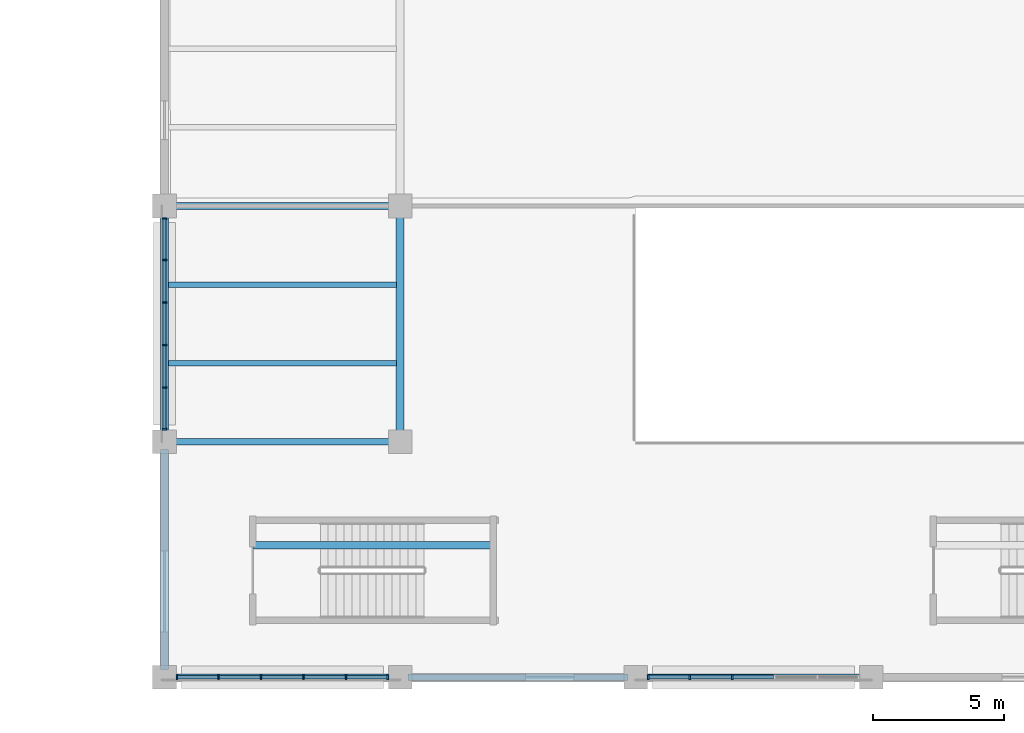
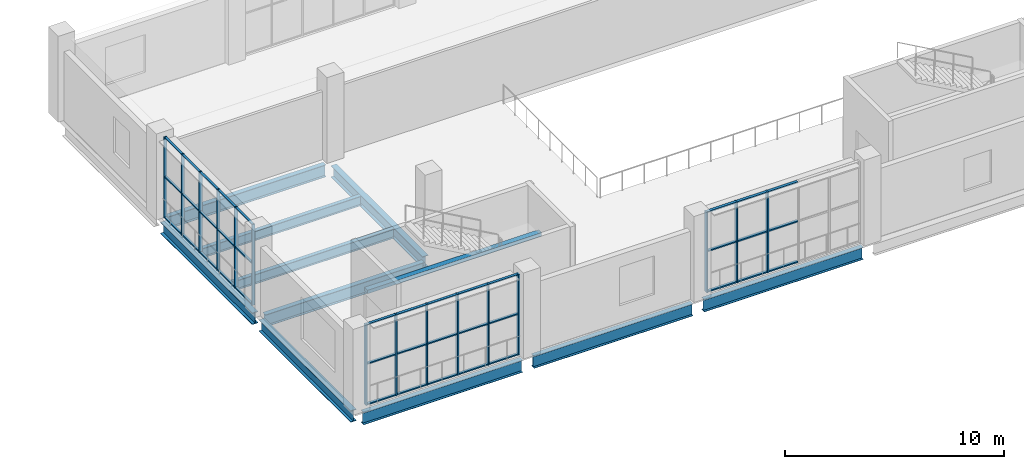
# One storey, part 3 of 183: 54 members, 11 beams, 3 elements without a shape of their own.
"""IFC4 building model written with IfcOpenShell, lengths in metres."""

from ifc_helpers import new_model, si_unit, direction, frame, origin, origin_2d, place, context, subcontext, project, spatial, rectangle, i_section, extrude, material, material_profile, profile_set, type_object, element, aggregate, save


model = new_model("IFC4")

# Units and contexts
model_context = context("Model", 3, precision=1e-05, world=origin(), true_north=direction((0.0, 1.0)))
body_context = subcontext(model_context, "Body", "Model", "MODEL_VIEW")
ifc_project = project(units=[si_unit("LENGTHUNIT", "METRE"), si_unit("AREAUNIT", "SQUARE_METRE"), si_unit("VOLUMEUNIT", "CUBIC_METRE"), si_unit("PLANEANGLEUNIT", "RADIAN"), si_unit("MASSUNIT", "GRAM", prefix="KILO")], contexts=[model_context])

# Site, building, storey
site_placement = place(None, origin())
site = spatial("IfcSite", under=ifc_project, at=site_placement, CompositionType="ELEMENT")
building_placement = place(site_placement, origin())
building = spatial("IfcBuilding", under=site, at=building_placement, Name="Zevraka Park Crest Stadium", CompositionType="ELEMENT")
storey_placement = place(building_placement, frame((0.0, 0.0, 5.39990234375)))
storey = spatial("IfcBuildingStorey", under=building, at=storey_placement, Name="L01", CompositionType="ELEMENT", Elevation=5.39990234375)

# Beams
ifc_material_1 = material(Name="Steel S355", Category="steel")
ifc_material_profile_1 = material_profile(ifc_material_1, i_section(OverallWidth=0.253662109375, OverallDepth=0.68359375, WebThickness=0.012451171875, FlangeThickness=0.01904296875, at=origin_2d()), Name="UKB 686x254x140")
ifc_profile_set_1 = profile_set([ifc_material_profile_1], Name="Steel S355")
beam_type_1 = type_object("IfcBeamType", Name="BG05", PredefinedType="BEAM", material=ifc_profile_set_1)
for number, where, z_axis, x_axis, name in (
    (1, (9.300048828125, 0.0, -0.649658203125), (1.0, 0.0, 0.0), (0.0, 1.0, 0.0), "Wing Girder BG05 L01-23/A"),
    (2, (9.300048828125, 9.0, -0.649658203125), (1.0, 0.0, 0.0), (0.0, 1.0, 0.0), "Wing Girder BG05 L01-23/B"),
    (3, (9.300048828125, 18.0, -0.649658203125), (1.0, 0.0, 0.0), (0.0, 1.0, 0.0), "Wing Girder BG05 L01-23/C"),
    (4, (18.300048828125, 0.0, -0.649658203125), (1.0, 0.0, 0.0), (0.0, 1.0, 0.0), "Wing Girder BG05 L01-34/A"),
    (5, (27.300048828125, 0.0, -0.649658203125), (1.0, 0.0, 0.0), (0.0, 1.0, 0.0), "Wing Girder BG05 L01-45/A"),
):
    element("IfcBeam", number, at=place(storey_placement, frame(where, z_axis=z_axis, x_axis=x_axis)), inside=storey, type_object=beam_type_1, Name=name, PredefinedType="BEAM", context=body_context, shape_type="SweptSolid", body=[
        extrude(i_section(OverallWidth=0.253662109375, OverallDepth=0.68359375, WebThickness=0.012451171875, FlangeThickness=0.01904296875, at=origin_2d()), origin(), (0.0, 0.0, 1.0), 8.39990234375),
    ])
ifc_material_2 = material(Name="Steel S355", Category="steel")
ifc_material_profile_2 = material_profile(ifc_material_2, i_section(OverallWidth=0.300048828125, OverallDepth=0.64990234375, WebThickness=0.01611328125, FlangeThickness=0.031005859375, at=origin_2d()), Name="HEB 650")
ifc_profile_set_2 = profile_set([ifc_material_profile_2], Name="Steel S355")
beam_type_2 = type_object("IfcBeamType", Name="BG07", PredefinedType="BEAM", material=ifc_profile_set_2)
for number, where, z_axis, x_axis, name in (
    (6, (9.0, 0.300048828125, -0.6328125), (0.0, 1.0, 0.0), (-1.0, 0.0, 0.0), "Wing Girder BG07 L01-2/AB"),
    (7, (9.0, 9.300048828125, -0.6328125), (0.0, 1.0, 0.0), (-1.0, 0.0, 0.0), "Wing Girder BG07 L01-2/BC"),
    (8, (18.0, 9.300048828125, -0.6328125), (0.0, 1.0, 0.0), (-1.0, 0.0, 0.0), "Wing Girder BG07 L01-3/BC"),
):
    element("IfcBeam", number, at=place(storey_placement, frame(where, z_axis=z_axis, x_axis=x_axis)), inside=storey, type_object=beam_type_2, Name=name, PredefinedType="BEAM", context=body_context, shape_type="SweptSolid", body=[
        extrude(i_section(OverallWidth=0.300048828125, OverallDepth=0.64990234375, WebThickness=0.01611328125, FlangeThickness=0.031005859375, at=origin_2d()), origin(), (0.0, 0.0, 1.0), 8.39990234375),
    ])

# Curtain wall, members
ifc_material_3 = material(Name="Anodised architectural aluminium and laminated safety glass", Category="aluminium")
curtain_wall_type_1 = type_object("IfcCurtainWallType", Name="CW28", PredefinedType="NOTDEFINED", material=ifc_material_3)
curtain_wall_1_placement = place(storey_placement, origin())
curtain_wall_1 = element("IfcCurtainWall", 9, at=curtain_wall_1_placement, inside=storey, type_object=curtain_wall_type_1, Name="Wing Curtain Wall CW28 L01-SW-W-2", PredefinedType="NOTDEFINED")
ifc_material_4 = material(Name="Anodised architectural aluminium", Category="aluminium")
ifc_material_profile_3 = material_profile(ifc_material_4, rectangle(XDim=0.159912109375, YDim=0.06005859375, at=origin_2d()), Name="ALU MULLION 160x60")
ifc_profile_set_3 = profile_set([ifc_material_profile_3], Name="Anodised architectural aluminium")
member_type_1 = type_object("IfcMemberType", Name="CM01", PredefinedType="MULLION", material=ifc_profile_set_3)
member_1_placement = place(storey_placement, frame((9.0, 9.469970703125, 0.0), z_axis=(0.0, 0.0, 1.0), x_axis=(-1.0, 0.0, 0.0)))
member_1 = element("IfcMember", 10, at=member_1_placement, type_object=member_type_1, Name="CW28 mullion 1", PredefinedType="MULLION", context=body_context, shape_type="SweptSolid", body=[
    extrude(rectangle(XDim=0.159912109375, YDim=0.06005859375, at=origin_2d()), origin(), (0.0, 0.0, 1.0), 4.52001953125),
])
member_2_placement = place(storey_placement, frame((9.0, 11.06396484375, 0.0), z_axis=(0.0, 0.0, 1.0), x_axis=(-1.0, 0.0, 0.0)))
member_2 = element("IfcMember", 11, at=member_2_placement, type_object=member_type_1, Name="CW28 mullion 2", PredefinedType="MULLION", context=body_context, shape_type="SweptSolid", body=[
    extrude(rectangle(XDim=0.159912109375, YDim=0.06005859375, at=origin_2d()), origin(), (0.0, 0.0, 1.0), 4.52001953125),
])
member_3_placement = place(storey_placement, frame((9.0, 12.68798828125, 0.0), z_axis=(0.0, 0.0, 1.0), x_axis=(-1.0, 0.0, 0.0)))
member_3 = element("IfcMember", 12, at=member_3_placement, type_object=member_type_1, Name="CW28 mullion 3", PredefinedType="MULLION", context=body_context, shape_type="SweptSolid", body=[
    extrude(rectangle(XDim=0.159912109375, YDim=0.06005859375, at=origin_2d()), origin(), (0.0, 0.0, 1.0), 4.52001953125),
])
member_4_placement = place(storey_placement, frame((9.0, 14.31201171875, 0.0), z_axis=(0.0, 0.0, 1.0), x_axis=(-1.0, 0.0, 0.0)))
member_4 = element("IfcMember", 13, at=member_4_placement, type_object=member_type_1, Name="CW28 mullion 4", PredefinedType="MULLION", context=body_context, shape_type="SweptSolid", body=[
    extrude(rectangle(XDim=0.159912109375, YDim=0.06005859375, at=origin_2d()), origin(), (0.0, 0.0, 1.0), 4.52001953125),
])
member_5_placement = place(storey_placement, frame((9.0, 15.93603515625, 0.0), z_axis=(0.0, 0.0, 1.0), x_axis=(-1.0, 0.0, 0.0)))
member_5 = element("IfcMember", 14, at=member_5_placement, type_object=member_type_1, Name="CW28 mullion 5", PredefinedType="MULLION", context=body_context, shape_type="SweptSolid", body=[
    extrude(rectangle(XDim=0.159912109375, YDim=0.06005859375, at=origin_2d()), origin(), (0.0, 0.0, 1.0), 4.52001953125),
])
member_6_placement = place(storey_placement, frame((9.0, 17.530029296875, 0.0), z_axis=(0.0, 0.0, 1.0), x_axis=(-1.0, 0.0, 0.0)))
member_6 = element("IfcMember", 15, at=member_6_placement, type_object=member_type_1, Name="CW28 mullion 6", PredefinedType="MULLION", context=body_context, shape_type="SweptSolid", body=[
    extrude(rectangle(XDim=0.159912109375, YDim=0.06005859375, at=origin_2d()), origin(), (0.0, 0.0, 1.0), 4.52001953125),
])

ifc_material_5 = material(Name="Anodised architectural aluminium and laminated safety glass", Category="aluminium")
curtain_wall_type_2 = type_object("IfcCurtainWallType", Name="CW29", PredefinedType="NOTDEFINED", material=ifc_material_5)
curtain_wall_2_placement = place(storey_placement, origin())
curtain_wall_2 = element("IfcCurtainWall", 16, at=curtain_wall_2_placement, inside=storey, type_object=curtain_wall_type_2, Name="Wing Curtain Wall CW29 L01-SW-S1-8", PredefinedType="NOTDEFINED")
ifc_material_6 = material(Name="Anodised architectural aluminium", Category="aluminium")
ifc_material_profile_4 = material_profile(ifc_material_6, rectangle(XDim=0.179931640625, YDim=0.06494140625, at=origin_2d()), Name="ALU MULLION 180x65")
ifc_profile_set_4 = profile_set([ifc_material_profile_4], Name="Anodised architectural aluminium")
member_type_2 = type_object("IfcMemberType", Name="CM02", PredefinedType="MULLION", material=ifc_profile_set_4)
member_7_placement = place(storey_placement, frame((17.527587890625, 0.0, 0.0), z_axis=(0.0, 0.0, 1.0), x_axis=(0.0, -1.0, 0.0)))
member_7 = element("IfcMember", 17, at=member_7_placement, type_object=member_type_2, Name="CW29 mullion 1", PredefinedType="MULLION", context=body_context, shape_type="SweptSolid", body=[
    extrude(rectangle(XDim=0.179931640625, YDim=0.06494140625, at=origin_2d()), origin(), (0.0, 0.0, 1.0), 4.52001953125),
])
member_8_placement = place(storey_placement, frame((15.93603515625, 0.0, 0.0), z_axis=(0.0, 0.0, 1.0), x_axis=(0.0, -1.0, 0.0)))
member_8 = element("IfcMember", 18, at=member_8_placement, type_object=member_type_2, Name="CW29 mullion 2", PredefinedType="MULLION", context=body_context, shape_type="SweptSolid", body=[
    extrude(rectangle(XDim=0.179931640625, YDim=0.06494140625, at=origin_2d()), origin(), (0.0, 0.0, 1.0), 4.52001953125),
])
member_9_placement = place(storey_placement, frame((14.31201171875, 0.0, 0.0), z_axis=(0.0, 0.0, 1.0), x_axis=(0.0, -1.0, 0.0)))
member_9 = element("IfcMember", 19, at=member_9_placement, type_object=member_type_2, Name="CW29 mullion 3", PredefinedType="MULLION", context=body_context, shape_type="SweptSolid", body=[
    extrude(rectangle(XDim=0.179931640625, YDim=0.06494140625, at=origin_2d()), origin(), (0.0, 0.0, 1.0), 4.52001953125),
])
member_10_placement = place(storey_placement, frame((12.68798828125, 0.0, 0.0), z_axis=(0.0, 0.0, 1.0), x_axis=(0.0, -1.0, 0.0)))
member_10 = element("IfcMember", 20, at=member_10_placement, type_object=member_type_2, Name="CW29 mullion 4", PredefinedType="MULLION", context=body_context, shape_type="SweptSolid", body=[
    extrude(rectangle(XDim=0.179931640625, YDim=0.06494140625, at=origin_2d()), origin(), (0.0, 0.0, 1.0), 4.52001953125),
])
member_11_placement = place(storey_placement, frame((11.06396484375, 0.0, 0.0), z_axis=(0.0, 0.0, 1.0), x_axis=(0.0, -1.0, 0.0)))
member_11 = element("IfcMember", 21, at=member_11_placement, type_object=member_type_2, Name="CW29 mullion 5", PredefinedType="MULLION", context=body_context, shape_type="SweptSolid", body=[
    extrude(rectangle(XDim=0.179931640625, YDim=0.06494140625, at=origin_2d()), origin(), (0.0, 0.0, 1.0), 4.52001953125),
])
member_12_placement = place(storey_placement, frame((9.472412109375, 0.0, 0.0), z_axis=(0.0, 0.0, 1.0), x_axis=(0.0, -1.0, 0.0)))
member_12 = element("IfcMember", 22, at=member_12_placement, type_object=member_type_2, Name="CW29 mullion 6", PredefinedType="MULLION", context=body_context, shape_type="SweptSolid", body=[
    extrude(rectangle(XDim=0.179931640625, YDim=0.06494140625, at=origin_2d()), origin(), (0.0, 0.0, 1.0), 4.52001953125),
])

ifc_material_7 = material(Name="Anodised architectural aluminium and laminated safety glass", Category="aluminium")
curtain_wall_type_3 = type_object("IfcCurtainWallType", Name="CW27", PredefinedType="NOTDEFINED", material=ifc_material_7)
curtain_wall_3_placement = place(storey_placement, origin())
curtain_wall_3 = element("IfcCurtainWall", 23, at=curtain_wall_3_placement, inside=storey, type_object=curtain_wall_type_3, Name="Wing Curtain Wall CW27 L01-SW-S1-6", PredefinedType="NOTDEFINED")
ifc_material_8 = material(Name="Anodised architectural aluminium", Category="aluminium")
ifc_material_profile_5 = material_profile(ifc_material_8, rectangle(XDim=0.199951171875, YDim=0.070068359375, at=origin_2d()), Name="ALU MULLION 200x70")
ifc_profile_set_5 = profile_set([ifc_material_profile_5], Name="Anodised architectural aluminium")
member_type_3 = type_object("IfcMemberType", Name="CM03", PredefinedType="MULLION", material=ifc_profile_set_5)
member_13_placement = place(storey_placement, frame((30.68798828125, 0.0, 0.0), z_axis=(0.0, 0.0, 1.0), x_axis=(0.0, -1.0, 0.0)))
member_13 = element("IfcMember", 24, at=member_13_placement, type_object=member_type_3, Name="CW27 mullion 4", PredefinedType="MULLION", context=body_context, shape_type="SweptSolid", body=[
    extrude(rectangle(XDim=0.199951171875, YDim=0.070068359375, at=origin_2d()), origin(), (0.0, 0.0, 1.0), 4.52001953125),
])
member_14_placement = place(storey_placement, frame((29.06396484375, 0.0, 0.0), z_axis=(0.0, 0.0, 1.0), x_axis=(0.0, -1.0, 0.0)))
member_14 = element("IfcMember", 25, at=member_14_placement, type_object=member_type_3, Name="CW27 mullion 5", PredefinedType="MULLION", context=body_context, shape_type="SweptSolid", body=[
    extrude(rectangle(XDim=0.199951171875, YDim=0.070068359375, at=origin_2d()), origin(), (0.0, 0.0, 1.0), 4.52001953125),
])
member_15_placement = place(storey_placement, frame((27.47509765625, 0.0, 0.0), z_axis=(0.0, 0.0, 1.0), x_axis=(0.0, -1.0, 0.0)))
member_15 = element("IfcMember", 26, at=member_15_placement, type_object=member_type_3, Name="CW27 mullion 6", PredefinedType="MULLION", context=body_context, shape_type="SweptSolid", body=[
    extrude(rectangle(XDim=0.199951171875, YDim=0.070068359375, at=origin_2d()), origin(), (0.0, 0.0, 1.0), 4.52001953125),
])

# Member
ifc_material_9 = material(Name="Anodised architectural aluminium", Category="aluminium")
ifc_material_profile_6 = material_profile(ifc_material_9, rectangle(XDim=0.1201171875, YDim=0.06005859375, at=origin_2d()), Name="ALU TRANSOM 120x60")
ifc_profile_set_6 = profile_set([ifc_material_profile_6], Name="Anodised architectural aluminium")
member_type_4 = type_object("IfcMemberType", Name="CT01", PredefinedType="USERDEFINED", material=ifc_profile_set_6)
member_16_placement = place(storey_placement, frame((9.0, 9.5, 0.030029296875), z_axis=(0.0, 1.0, 0.0), x_axis=(-1.0, 0.0, 0.0)))
member_16 = element("IfcMember", 27, at=member_16_placement, type_object=member_type_4, Name="CW28 transom 1.1", ObjectType="TRANSOM", PredefinedType="USERDEFINED", context=body_context, shape_type="SweptSolid", body=[
    extrude(rectangle(XDim=0.1201171875, YDim=0.06005859375, at=origin_2d()), origin(), (0.0, 0.0, 1.0), 1.533935546875),
])

member_17_placement = place(storey_placement, frame((9.0, 9.5, 2.300048828125), z_axis=(0.0, 1.0, 0.0), x_axis=(-1.0, 0.0, 0.0)))
member_17 = element("IfcMember", 28, at=member_17_placement, type_object=member_type_4, Name="CW28 transom 1.2", ObjectType="TRANSOM", PredefinedType="USERDEFINED", context=body_context, shape_type="SweptSolid", body=[
    extrude(rectangle(XDim=0.1201171875, YDim=0.06005859375, at=origin_2d()), origin(), (0.0, 0.0, 1.0), 1.533935546875),
])

member_18_placement = place(storey_placement, frame((9.0, 9.5, 4.489990234375), z_axis=(0.0, 1.0, 0.0), x_axis=(-1.0, 0.0, 0.0)))
member_18 = element("IfcMember", 29, at=member_18_placement, type_object=member_type_4, Name="CW28 transom 1.3", ObjectType="TRANSOM", PredefinedType="USERDEFINED", context=body_context, shape_type="SweptSolid", body=[
    extrude(rectangle(XDim=0.1201171875, YDim=0.06005859375, at=origin_2d()), origin(), (0.0, 0.0, 1.0), 1.533935546875),
])

member_19_placement = place(storey_placement, frame((9.0, 11.093994140625, 0.030029296875), z_axis=(0.0, 1.0, 0.0), x_axis=(-1.0, 0.0, 0.0)))
member_19 = element("IfcMember", 30, at=member_19_placement, type_object=member_type_4, Name="CW28 transom 2.1", ObjectType="TRANSOM", PredefinedType="USERDEFINED", context=body_context, shape_type="SweptSolid", body=[
    extrude(rectangle(XDim=0.1201171875, YDim=0.06005859375, at=origin_2d()), origin(), (0.0, 0.0, 1.0), 1.56396484375),
])

member_20_placement = place(storey_placement, frame((9.0, 11.093994140625, 2.300048828125), z_axis=(0.0, 1.0, 0.0), x_axis=(-1.0, 0.0, 0.0)))
member_20 = element("IfcMember", 31, at=member_20_placement, type_object=member_type_4, Name="CW28 transom 2.2", ObjectType="TRANSOM", PredefinedType="USERDEFINED", context=body_context, shape_type="SweptSolid", body=[
    extrude(rectangle(XDim=0.1201171875, YDim=0.06005859375, at=origin_2d()), origin(), (0.0, 0.0, 1.0), 1.56396484375),
])

member_21_placement = place(storey_placement, frame((9.0, 11.093994140625, 4.489990234375), z_axis=(0.0, 1.0, 0.0), x_axis=(-1.0, 0.0, 0.0)))
member_21 = element("IfcMember", 32, at=member_21_placement, type_object=member_type_4, Name="CW28 transom 2.3", ObjectType="TRANSOM", PredefinedType="USERDEFINED", context=body_context, shape_type="SweptSolid", body=[
    extrude(rectangle(XDim=0.1201171875, YDim=0.06005859375, at=origin_2d()), origin(), (0.0, 0.0, 1.0), 1.56396484375),
])

member_22_placement = place(storey_placement, frame((9.0, 12.718017578125, 0.030029296875), z_axis=(0.0, 1.0, 0.0), x_axis=(-1.0, 0.0, 0.0)))
member_22 = element("IfcMember", 33, at=member_22_placement, type_object=member_type_4, Name="CW28 transom 3.1", ObjectType="TRANSOM", PredefinedType="USERDEFINED", context=body_context, shape_type="SweptSolid", body=[
    extrude(rectangle(XDim=0.1201171875, YDim=0.06005859375, at=origin_2d()), origin(), (0.0, 0.0, 1.0), 1.56396484375),
])

member_23_placement = place(storey_placement, frame((9.0, 12.718017578125, 2.300048828125), z_axis=(0.0, 1.0, 0.0), x_axis=(-1.0, 0.0, 0.0)))
member_23 = element("IfcMember", 34, at=member_23_placement, type_object=member_type_4, Name="CW28 transom 3.2", ObjectType="TRANSOM", PredefinedType="USERDEFINED", context=body_context, shape_type="SweptSolid", body=[
    extrude(rectangle(XDim=0.1201171875, YDim=0.06005859375, at=origin_2d()), origin(), (0.0, 0.0, 1.0), 1.56396484375),
])

member_24_placement = place(storey_placement, frame((9.0, 12.718017578125, 4.489990234375), z_axis=(0.0, 1.0, 0.0), x_axis=(-1.0, 0.0, 0.0)))
member_24 = element("IfcMember", 35, at=member_24_placement, type_object=member_type_4, Name="CW28 transom 3.3", ObjectType="TRANSOM", PredefinedType="USERDEFINED", context=body_context, shape_type="SweptSolid", body=[
    extrude(rectangle(XDim=0.1201171875, YDim=0.06005859375, at=origin_2d()), origin(), (0.0, 0.0, 1.0), 1.56396484375),
])

member_25_placement = place(storey_placement, frame((9.0, 14.342041015625, 0.030029296875), z_axis=(0.0, 1.0, 0.0), x_axis=(-1.0, 0.0, 0.0)))
member_25 = element("IfcMember", 36, at=member_25_placement, type_object=member_type_4, Name="CW28 transom 4.1", ObjectType="TRANSOM", PredefinedType="USERDEFINED", context=body_context, shape_type="SweptSolid", body=[
    extrude(rectangle(XDim=0.1201171875, YDim=0.06005859375, at=origin_2d()), origin(), (0.0, 0.0, 1.0), 1.56396484375),
])

member_26_placement = place(storey_placement, frame((9.0, 14.342041015625, 2.300048828125), z_axis=(0.0, 1.0, 0.0), x_axis=(-1.0, 0.0, 0.0)))
member_26 = element("IfcMember", 37, at=member_26_placement, type_object=member_type_4, Name="CW28 transom 4.2", ObjectType="TRANSOM", PredefinedType="USERDEFINED", context=body_context, shape_type="SweptSolid", body=[
    extrude(rectangle(XDim=0.1201171875, YDim=0.06005859375, at=origin_2d()), origin(), (0.0, 0.0, 1.0), 1.56396484375),
])

member_27_placement = place(storey_placement, frame((9.0, 14.342041015625, 4.489990234375), z_axis=(0.0, 1.0, 0.0), x_axis=(-1.0, 0.0, 0.0)))
member_27 = element("IfcMember", 38, at=member_27_placement, type_object=member_type_4, Name="CW28 transom 4.3", ObjectType="TRANSOM", PredefinedType="USERDEFINED", context=body_context, shape_type="SweptSolid", body=[
    extrude(rectangle(XDim=0.1201171875, YDim=0.06005859375, at=origin_2d()), origin(), (0.0, 0.0, 1.0), 1.56396484375),
])

member_28_placement = place(storey_placement, frame((9.0, 15.966064453125, 0.030029296875), z_axis=(0.0, 1.0, 0.0), x_axis=(-1.0, 0.0, 0.0)))
member_28 = element("IfcMember", 39, at=member_28_placement, type_object=member_type_4, Name="CW28 transom 5.1", ObjectType="TRANSOM", PredefinedType="USERDEFINED", context=body_context, shape_type="SweptSolid", body=[
    extrude(rectangle(XDim=0.1201171875, YDim=0.06005859375, at=origin_2d()), origin(), (0.0, 0.0, 1.0), 1.533935546875),
])

member_29_placement = place(storey_placement, frame((9.0, 15.966064453125, 2.300048828125), z_axis=(0.0, 1.0, 0.0), x_axis=(-1.0, 0.0, 0.0)))
member_29 = element("IfcMember", 40, at=member_29_placement, type_object=member_type_4, Name="CW28 transom 5.2", ObjectType="TRANSOM", PredefinedType="USERDEFINED", context=body_context, shape_type="SweptSolid", body=[
    extrude(rectangle(XDim=0.1201171875, YDim=0.06005859375, at=origin_2d()), origin(), (0.0, 0.0, 1.0), 1.533935546875),
])

member_30_placement = place(storey_placement, frame((9.0, 15.966064453125, 4.489990234375), z_axis=(0.0, 1.0, 0.0), x_axis=(-1.0, 0.0, 0.0)))
member_30 = element("IfcMember", 41, at=member_30_placement, type_object=member_type_4, Name="CW28 transom 5.3", ObjectType="TRANSOM", PredefinedType="USERDEFINED", context=body_context, shape_type="SweptSolid", body=[
    extrude(rectangle(XDim=0.1201171875, YDim=0.06005859375, at=origin_2d()), origin(), (0.0, 0.0, 1.0), 1.533935546875),
])

aggregate(curtain_wall_1, [member_1, member_2, member_3, member_4, member_5, member_6, member_16, member_17, member_18, member_19, member_20, member_21, member_22, member_23, member_24, member_25, member_26, member_27, member_28, member_29, member_30])

ifc_material_10 = material(Name="Anodised architectural aluminium", Category="aluminium")
ifc_material_profile_7 = material_profile(ifc_material_10, rectangle(XDim=0.139892578125, YDim=0.06494140625, at=origin_2d()), Name="ALU TRANSOM 140x65")
ifc_profile_set_7 = profile_set([ifc_material_profile_7], Name="Anodised architectural aluminium")
member_type_5 = type_object("IfcMemberType", Name="CT02", PredefinedType="USERDEFINED", material=ifc_profile_set_7)
member_31_placement = place(storey_placement, frame((17.4951171875, 0.0, 0.03271484375), z_axis=(-1.0, 0.0, 0.0), x_axis=(0.0, -1.0, 0.0)))
member_31 = element("IfcMember", 42, at=member_31_placement, type_object=member_type_5, Name="CW29 transom 1.1", ObjectType="TRANSOM", PredefinedType="USERDEFINED", context=body_context, shape_type="SweptSolid", body=[
    extrude(rectangle(XDim=0.139892578125, YDim=0.06494140625, at=origin_2d()), origin(), (0.0, 0.0, 1.0), 1.526611328125),
])

member_32_placement = place(storey_placement, frame((17.4951171875, 0.0, 2.300048828125), z_axis=(-1.0, 0.0, 0.0), x_axis=(0.0, -1.0, 0.0)))
member_32 = element("IfcMember", 43, at=member_32_placement, type_object=member_type_5, Name="CW29 transom 1.2", ObjectType="TRANSOM", PredefinedType="USERDEFINED", context=body_context, shape_type="SweptSolid", body=[
    extrude(rectangle(XDim=0.139892578125, YDim=0.06494140625, at=origin_2d()), origin(), (0.0, 0.0, 1.0), 1.526611328125),
])

member_33_placement = place(storey_placement, frame((17.4951171875, 0.0, 4.487548828125), z_axis=(-1.0, 0.0, 0.0), x_axis=(0.0, -1.0, 0.0)))
member_33 = element("IfcMember", 44, at=member_33_placement, type_object=member_type_5, Name="CW29 transom 1.3", ObjectType="TRANSOM", PredefinedType="USERDEFINED", context=body_context, shape_type="SweptSolid", body=[
    extrude(rectangle(XDim=0.139892578125, YDim=0.06494140625, at=origin_2d()), origin(), (0.0, 0.0, 1.0), 1.526611328125),
])

member_34_placement = place(storey_placement, frame((15.903564453125, 0.0, 0.03271484375), z_axis=(-1.0, 0.0, 0.0), x_axis=(0.0, -1.0, 0.0)))
member_34 = element("IfcMember", 45, at=member_34_placement, type_object=member_type_5, Name="CW29 transom 2.1", ObjectType="TRANSOM", PredefinedType="USERDEFINED", context=body_context, shape_type="SweptSolid", body=[
    extrude(rectangle(XDim=0.139892578125, YDim=0.06494140625, at=origin_2d()), origin(), (0.0, 0.0, 1.0), 1.55908203125),
])

member_35_placement = place(storey_placement, frame((15.903564453125, 0.0, 2.300048828125), z_axis=(-1.0, 0.0, 0.0), x_axis=(0.0, -1.0, 0.0)))
member_35 = element("IfcMember", 46, at=member_35_placement, type_object=member_type_5, Name="CW29 transom 2.2", ObjectType="TRANSOM", PredefinedType="USERDEFINED", context=body_context, shape_type="SweptSolid", body=[
    extrude(rectangle(XDim=0.139892578125, YDim=0.06494140625, at=origin_2d()), origin(), (0.0, 0.0, 1.0), 1.55908203125),
])

member_36_placement = place(storey_placement, frame((15.903564453125, 0.0, 4.487548828125), z_axis=(-1.0, 0.0, 0.0), x_axis=(0.0, -1.0, 0.0)))
member_36 = element("IfcMember", 47, at=member_36_placement, type_object=member_type_5, Name="CW29 transom 2.3", ObjectType="TRANSOM", PredefinedType="USERDEFINED", context=body_context, shape_type="SweptSolid", body=[
    extrude(rectangle(XDim=0.139892578125, YDim=0.06494140625, at=origin_2d()), origin(), (0.0, 0.0, 1.0), 1.55908203125),
])

member_37_placement = place(storey_placement, frame((14.279541015625, 0.0, 0.03271484375), z_axis=(-1.0, 0.0, 0.0), x_axis=(0.0, -1.0, 0.0)))
member_37 = element("IfcMember", 48, at=member_37_placement, type_object=member_type_5, Name="CW29 transom 3.1", ObjectType="TRANSOM", PredefinedType="USERDEFINED", context=body_context, shape_type="SweptSolid", body=[
    extrude(rectangle(XDim=0.139892578125, YDim=0.06494140625, at=origin_2d()), origin(), (0.0, 0.0, 1.0), 1.55908203125),
])

member_38_placement = place(storey_placement, frame((14.279541015625, 0.0, 2.300048828125), z_axis=(-1.0, 0.0, 0.0), x_axis=(0.0, -1.0, 0.0)))
member_38 = element("IfcMember", 49, at=member_38_placement, type_object=member_type_5, Name="CW29 transom 3.2", ObjectType="TRANSOM", PredefinedType="USERDEFINED", context=body_context, shape_type="SweptSolid", body=[
    extrude(rectangle(XDim=0.139892578125, YDim=0.06494140625, at=origin_2d()), origin(), (0.0, 0.0, 1.0), 1.55908203125),
])

member_39_placement = place(storey_placement, frame((14.279541015625, 0.0, 4.487548828125), z_axis=(-1.0, 0.0, 0.0), x_axis=(0.0, -1.0, 0.0)))
member_39 = element("IfcMember", 50, at=member_39_placement, type_object=member_type_5, Name="CW29 transom 3.3", ObjectType="TRANSOM", PredefinedType="USERDEFINED", context=body_context, shape_type="SweptSolid", body=[
    extrude(rectangle(XDim=0.139892578125, YDim=0.06494140625, at=origin_2d()), origin(), (0.0, 0.0, 1.0), 1.55908203125),
])

member_40_placement = place(storey_placement, frame((12.655517578125, 0.0, 0.03271484375), z_axis=(-1.0, 0.0, 0.0), x_axis=(0.0, -1.0, 0.0)))
member_40 = element("IfcMember", 51, at=member_40_placement, type_object=member_type_5, Name="CW29 transom 4.1", ObjectType="TRANSOM", PredefinedType="USERDEFINED", context=body_context, shape_type="SweptSolid", body=[
    extrude(rectangle(XDim=0.139892578125, YDim=0.06494140625, at=origin_2d()), origin(), (0.0, 0.0, 1.0), 1.55908203125),
])

member_41_placement = place(storey_placement, frame((12.655517578125, 0.0, 2.300048828125), z_axis=(-1.0, 0.0, 0.0), x_axis=(0.0, -1.0, 0.0)))
member_41 = element("IfcMember", 52, at=member_41_placement, type_object=member_type_5, Name="CW29 transom 4.2", ObjectType="TRANSOM", PredefinedType="USERDEFINED", context=body_context, shape_type="SweptSolid", body=[
    extrude(rectangle(XDim=0.139892578125, YDim=0.06494140625, at=origin_2d()), origin(), (0.0, 0.0, 1.0), 1.55908203125),
])

member_42_placement = place(storey_placement, frame((12.655517578125, 0.0, 4.487548828125), z_axis=(-1.0, 0.0, 0.0), x_axis=(0.0, -1.0, 0.0)))
member_42 = element("IfcMember", 53, at=member_42_placement, type_object=member_type_5, Name="CW29 transom 4.3", ObjectType="TRANSOM", PredefinedType="USERDEFINED", context=body_context, shape_type="SweptSolid", body=[
    extrude(rectangle(XDim=0.139892578125, YDim=0.06494140625, at=origin_2d()), origin(), (0.0, 0.0, 1.0), 1.55908203125),
])

member_43_placement = place(storey_placement, frame((11.031494140625, 0.0, 0.03271484375), z_axis=(-1.0, 0.0, 0.0), x_axis=(0.0, -1.0, 0.0)))
member_43 = element("IfcMember", 54, at=member_43_placement, type_object=member_type_5, Name="CW29 transom 5.1", ObjectType="TRANSOM", PredefinedType="USERDEFINED", context=body_context, shape_type="SweptSolid", body=[
    extrude(rectangle(XDim=0.139892578125, YDim=0.06494140625, at=origin_2d()), origin(), (0.0, 0.0, 1.0), 1.526611328125),
])

member_44_placement = place(storey_placement, frame((11.031494140625, 0.0, 2.300048828125), z_axis=(-1.0, 0.0, 0.0), x_axis=(0.0, -1.0, 0.0)))
member_44 = element("IfcMember", 55, at=member_44_placement, type_object=member_type_5, Name="CW29 transom 5.2", ObjectType="TRANSOM", PredefinedType="USERDEFINED", context=body_context, shape_type="SweptSolid", body=[
    extrude(rectangle(XDim=0.139892578125, YDim=0.06494140625, at=origin_2d()), origin(), (0.0, 0.0, 1.0), 1.526611328125),
])

member_45_placement = place(storey_placement, frame((11.031494140625, 0.0, 4.487548828125), z_axis=(-1.0, 0.0, 0.0), x_axis=(0.0, -1.0, 0.0)))
member_45 = element("IfcMember", 56, at=member_45_placement, type_object=member_type_5, Name="CW29 transom 5.3", ObjectType="TRANSOM", PredefinedType="USERDEFINED", context=body_context, shape_type="SweptSolid", body=[
    extrude(rectangle(XDim=0.139892578125, YDim=0.06494140625, at=origin_2d()), origin(), (0.0, 0.0, 1.0), 1.526611328125),
])

aggregate(curtain_wall_2, [member_7, member_8, member_9, member_10, member_11, member_12, member_31, member_32, member_33, member_34, member_35, member_36, member_37, member_38, member_39, member_40, member_41, member_42, member_43, member_44, member_45])

ifc_material_11 = material(Name="Anodised architectural aluminium", Category="aluminium")
ifc_material_profile_8 = material_profile(ifc_material_11, rectangle(XDim=0.14990234375, YDim=0.070068359375, at=origin_2d()), Name="ALU TRANSOM 150x70")
ifc_profile_set_8 = profile_set([ifc_material_profile_8], Name="Anodised architectural aluminium")
member_type_6 = type_object("IfcMemberType", Name="CT03", PredefinedType="USERDEFINED", material=ifc_profile_set_8)
member_46_placement = place(storey_placement, frame((32.277099609375, 0.0, 0.03515625), z_axis=(-1.0, 0.0, 0.0), x_axis=(0.0, -1.0, 0.0)))
member_46 = element("IfcMember", 57, at=member_46_placement, type_object=member_type_6, Name="CW27 transom 3.1", ObjectType="TRANSOM", PredefinedType="USERDEFINED", context=body_context, shape_type="SweptSolid", body=[
    extrude(rectangle(XDim=0.14990234375, YDim=0.070068359375, at=origin_2d()), origin(), (0.0, 0.0, 1.0), 1.55419921875),
])

member_47_placement = place(storey_placement, frame((32.277099609375, 0.0, 2.300048828125), z_axis=(-1.0, 0.0, 0.0), x_axis=(0.0, -1.0, 0.0)))
member_47 = element("IfcMember", 58, at=member_47_placement, type_object=member_type_6, Name="CW27 transom 3.2", ObjectType="TRANSOM", PredefinedType="USERDEFINED", context=body_context, shape_type="SweptSolid", body=[
    extrude(rectangle(XDim=0.14990234375, YDim=0.070068359375, at=origin_2d()), origin(), (0.0, 0.0, 1.0), 1.55419921875),
])

member_48_placement = place(storey_placement, frame((32.277099609375, 0.0, 4.485107421875), z_axis=(-1.0, 0.0, 0.0), x_axis=(0.0, -1.0, 0.0)))
member_48 = element("IfcMember", 59, at=member_48_placement, type_object=member_type_6, Name="CW27 transom 3.3", ObjectType="TRANSOM", PredefinedType="USERDEFINED", context=body_context, shape_type="SweptSolid", body=[
    extrude(rectangle(XDim=0.14990234375, YDim=0.070068359375, at=origin_2d()), origin(), (0.0, 0.0, 1.0), 1.55419921875),
])

member_49_placement = place(storey_placement, frame((30.653076171875, 0.0, 0.03515625), z_axis=(-1.0, 0.0, 0.0), x_axis=(0.0, -1.0, 0.0)))
member_49 = element("IfcMember", 60, at=member_49_placement, type_object=member_type_6, Name="CW27 transom 4.1", ObjectType="TRANSOM", PredefinedType="USERDEFINED", context=body_context, shape_type="SweptSolid", body=[
    extrude(rectangle(XDim=0.14990234375, YDim=0.070068359375, at=origin_2d()), origin(), (0.0, 0.0, 1.0), 1.553955078125),
])

member_50_placement = place(storey_placement, frame((30.653076171875, 0.0, 2.300048828125), z_axis=(-1.0, 0.0, 0.0), x_axis=(0.0, -1.0, 0.0)))
member_50 = element("IfcMember", 61, at=member_50_placement, type_object=member_type_6, Name="CW27 transom 4.2", ObjectType="TRANSOM", PredefinedType="USERDEFINED", context=body_context, shape_type="SweptSolid", body=[
    extrude(rectangle(XDim=0.14990234375, YDim=0.070068359375, at=origin_2d()), origin(), (0.0, 0.0, 1.0), 1.553955078125),
])

member_51_placement = place(storey_placement, frame((30.653076171875, 0.0, 4.485107421875), z_axis=(-1.0, 0.0, 0.0), x_axis=(0.0, -1.0, 0.0)))
member_51 = element("IfcMember", 62, at=member_51_placement, type_object=member_type_6, Name="CW27 transom 4.3", ObjectType="TRANSOM", PredefinedType="USERDEFINED", context=body_context, shape_type="SweptSolid", body=[
    extrude(rectangle(XDim=0.14990234375, YDim=0.070068359375, at=origin_2d()), origin(), (0.0, 0.0, 1.0), 1.553955078125),
])

member_52_placement = place(storey_placement, frame((29.029052734375, 0.0, 0.03515625), z_axis=(-1.0, 0.0, 0.0), x_axis=(0.0, -1.0, 0.0)))
member_52 = element("IfcMember", 63, at=member_52_placement, type_object=member_type_6, Name="CW27 transom 5.1", ObjectType="TRANSOM", PredefinedType="USERDEFINED", context=body_context, shape_type="SweptSolid", body=[
    extrude(rectangle(XDim=0.14990234375, YDim=0.070068359375, at=origin_2d()), origin(), (0.0, 0.0, 1.0), 1.51904296875),
])

member_53_placement = place(storey_placement, frame((29.029052734375, 0.0, 2.300048828125), z_axis=(-1.0, 0.0, 0.0), x_axis=(0.0, -1.0, 0.0)))
member_53 = element("IfcMember", 64, at=member_53_placement, type_object=member_type_6, Name="CW27 transom 5.2", ObjectType="TRANSOM", PredefinedType="USERDEFINED", context=body_context, shape_type="SweptSolid", body=[
    extrude(rectangle(XDim=0.14990234375, YDim=0.070068359375, at=origin_2d()), origin(), (0.0, 0.0, 1.0), 1.51904296875),
])

member_54_placement = place(storey_placement, frame((29.029052734375, 0.0, 4.485107421875), z_axis=(-1.0, 0.0, 0.0), x_axis=(0.0, -1.0, 0.0)))
member_54 = element("IfcMember", 65, at=member_54_placement, type_object=member_type_6, Name="CW27 transom 5.3", ObjectType="TRANSOM", PredefinedType="USERDEFINED", context=body_context, shape_type="SweptSolid", body=[
    extrude(rectangle(XDim=0.14990234375, YDim=0.070068359375, at=origin_2d()), origin(), (0.0, 0.0, 1.0), 1.51904296875),
])

aggregate(curtain_wall_3, [member_13, member_14, member_15, member_46, member_47, member_48, member_49, member_50, member_51, member_52, member_53, member_54])

# Beams
ifc_material_12 = material(Name="Steel S355", Category="steel")
ifc_material_profile_9 = material_profile(ifc_material_12, i_section(OverallWidth=0.209228515625, OverallDepth=0.533203125, WebThickness=0.010009765625, FlangeThickness=0.015625, at=origin_2d()), Name="UKB 533x210x92")
ifc_profile_set_9 = profile_set([ifc_material_profile_9], Name="Steel S355")
beam_type_3 = type_object("IfcBeamType", Name="SJ05", PredefinedType="JOIST", material=ifc_profile_set_9)
for number, where, z_axis, x_axis, name in (
    (66, (9.14501953125, 12.0, -0.576416015625), (1.0, 0.0, 0.0), (0.0, 1.0, 0.0), "Wing Joist SJ05 L01-2/B-1"),
    (67, (9.14501953125, 15.0, -0.576416015625), (1.0, 0.0, 0.0), (0.0, 1.0, 0.0), "Wing Joist SJ05 L01-2/B-2"),
):
    element("IfcBeam", number, at=place(storey_placement, frame(where, z_axis=z_axis, x_axis=x_axis)), inside=storey, type_object=beam_type_3, Name=name, PredefinedType="JOIST", context=body_context, shape_type="SweptSolid", body=[
        extrude(i_section(OverallWidth=0.209228515625, OverallDepth=0.533203125, WebThickness=0.010009765625, FlangeThickness=0.015625, at=origin_2d()), origin(), (0.0, 0.0, 1.0), 8.7099609375),
    ])
ifc_material_13 = material(Name="Concrete C40/50", Category="concrete")
ifc_material_profile_10 = material_profile(ifc_material_13, rectangle(XDim=0.280029296875, YDim=0.199951171875, at=origin_2d()), Name="RC 200x280")
ifc_profile_set_10 = profile_set([ifc_material_profile_10], Name="Concrete C40/50")
beam_type_4 = type_object("IfcBeamType", Name="SJ13", PredefinedType="JOIST", material=ifc_profile_set_10)
beam_placement = place(storey_placement, frame((12.39990234375, 5.034912109375, 2.300048828125), z_axis=(1.0, 0.0, 0.0), x_axis=(0.0, 1.0, 0.0)))
element("IfcBeam", 68, at=beam_placement, inside=storey, type_object=beam_type_4, Name="Stair Upper-Flight Longitudinal Stringer SJ13 ST51-L01", PredefinedType="JOIST", context=body_context, shape_type="SweptSolid", body=[
    extrude(rectangle(XDim=0.280029296875, YDim=0.199951171875, at=origin_2d()), origin(), (0.0, 0.0, 1.0), 9.2001953125),
])

save(model, "model.ifc")
